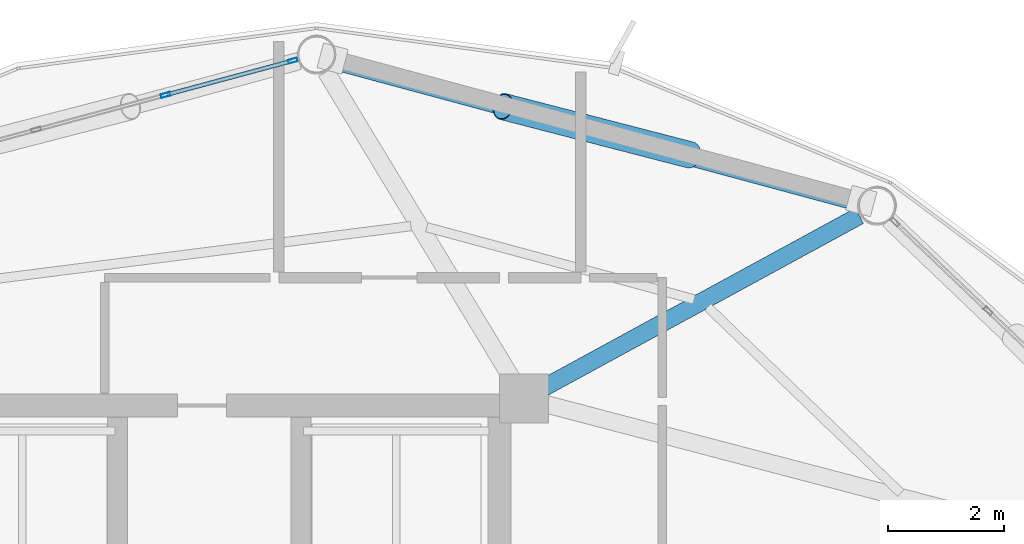
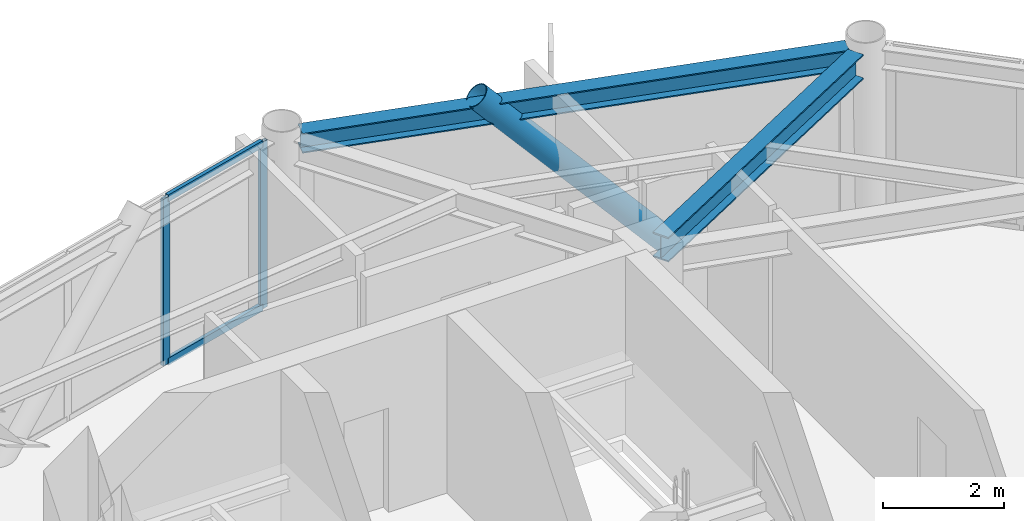
# One storey, part 21 of 28: 5 members, 2 beams, 1 element without a shape of its own.
"""IFC4 building model written with IfcOpenShell, lengths in metres."""

from ifc_helpers import new_model, si_unit, direction, frame, origin, origin_2d, place, context, subcontext, project, spatial, hollow_rectangle, hollow_circle, i_section, extrude, material, layer, layer_set, material_profile, profile_set, type_object, element, aggregate, save


model = new_model("IFC4")

# Units and contexts
model_context = context("Model", 3, precision=1e-05, world=origin(), true_north=direction((0.0, 1.0)))
body_context = subcontext(model_context, "Body", "Model", "MODEL_VIEW")
ifc_project = project(units=[si_unit("LENGTHUNIT", "METRE"), si_unit("AREAUNIT", "SQUARE_METRE"), si_unit("VOLUMEUNIT", "CUBIC_METRE"), si_unit("PLANEANGLEUNIT", "RADIAN"), si_unit("MASSUNIT", "GRAM", prefix="KILO")], contexts=[model_context])

# Site, building, storey
site_placement = place(None, origin())
site = spatial("IfcSite", under=ifc_project, at=site_placement, CompositionType="ELEMENT")
building_placement = place(site_placement, origin())
building = spatial("IfcBuilding", under=site, at=building_placement, Name="Varnakorn Sky Granary", CompositionType="ELEMENT")
storey_placement = place(building_placement, frame((0.0, 0.0, 196.800048828125)))
storey = spatial("IfcBuildingStorey", under=building, at=storey_placement, Name="L49", CompositionType="ELEMENT", Elevation=196.800048828125)

# Beams
ifc_material_1 = material(Name="Steel S355JR", Category="steel")
ifc_material_profile_1 = material_profile(ifc_material_1, i_section(OverallWidth=0.300048828125, OverallDepth=0.5, WebThickness=0.014404296875, FlangeThickness=0.028076171875, at=origin_2d()), Name="HE 500 B")
ifc_profile_set_1 = profile_set([ifc_material_profile_1], Name="Steel S355JR")
beam_type_1 = type_object("IfcBeamType", Name="BM-RAD-Z4", PredefinedType="BEAM", material=ifc_profile_set_1)
beam_1_placement = place(storey_placement, frame((8.775634765625, 12.813720703125, 3.10986328125), z_axis=(0.87816611834, 0.47835579708, 0.0), x_axis=(-0.47835579708, 0.87816611834, 0.0)))
element("IfcBeam", 1, at=beam_1_placement, inside=storey, type_object=beam_type_1, Name="Radial Floor Girder RG03 L49", PredefinedType="BEAM", context=body_context, shape_type="SweptSolid", body=[
    extrude(i_section(OverallWidth=0.300048828125, OverallDepth=0.5, WebThickness=0.014404296875, FlangeThickness=0.028076171875, at=origin_2d()), origin(), (0.0, 0.0, 1.0), 6.169921875),
])
ifc_material_profile_2 = material_profile(ifc_material_1, i_section(OverallWidth=0.300048828125, OverallDepth=0.39990234375, WebThickness=0.013427734375, FlangeThickness=0.02392578125, at=origin_2d()), Name="HE 400 B")
ifc_profile_set_2 = profile_set([ifc_material_profile_2], Name="Steel S355JR")
beam_type_2 = type_object("IfcBeamType", Name="BM-SPD-Z4", PredefinedType="SPANDREL", material=ifc_profile_set_2)
beam_2_placement = place(storey_placement, frame((14.16650390625, 15.997802734375, 3.159912109375), z_axis=(-0.965435992798, 0.260640257462, 0.0), x_axis=(-0.260640257462, -0.965435992798, 0.0)))
element("IfcBeam", 2, at=beam_2_placement, inside=storey, type_object=beam_type_2, Name="Perimeter Spandrel Ring Beam RB03 L49", PredefinedType="SPANDREL", context=body_context, shape_type="SweptSolid", body=[
    extrude(i_section(OverallWidth=0.300048828125, OverallDepth=0.39990234375, WebThickness=0.013427734375, FlangeThickness=0.02392578125, at=origin_2d()), origin(), (0.0, 0.0, 1.0), 9.335205078125),
])

# Curtain wall, members
ifc_material_2 = material(Name="Anodised Bronze Aluminium Alloy 6063-T6", Category="aluminium")
ifc_layer = layer(ifc_material_2, 0.169921875, Name="Anodised Bronze Aluminium Alloy 6063-T6")
ifc_layer_set = layer_set([ifc_layer], Name="Anodised Bronze Aluminium Alloy 6063-T6")
curtain_wall_type = type_object("IfcCurtainWallType", Name="CW-LAB-1", PredefinedType="USERDEFINED", material=ifc_layer_set)
curtain_wall_placement = place(storey_placement, origin())
curtain_wall = element("IfcCurtainWall", 3, at=curtain_wall_placement, inside=storey, type_object=curtain_wall_type, Name="Unitised Curtain Wall CW5 CW-L49-B04", ObjectType="CURTAIN WALL", PredefinedType="USERDEFINED")
ifc_material_profile_3 = material_profile(ifc_material_2, hollow_rectangle(XDim=0.06494140625, YDim=0.159912109375, WallThickness=0.00341796875, at=origin_2d()), Name="ALU MULL 65x160")
ifc_profile_set_3 = profile_set([ifc_material_profile_3], Name="Anodised Bronze Aluminium Alloy 6063-T6")
member_type_1 = type_object("IfcMemberType", Name="CW-LAB-1-MULL", PredefinedType="MULLION", material=ifc_profile_set_3)
member_1_placement = place(storey_placement, frame((2.248046875, 17.845703125, 0.0), z_axis=(0.0, 0.0, 1.0), x_axis=(-0.260195590554, 0.965555930362, 0.0)))
member_1 = element("IfcMember", 4, at=member_1_placement, type_object=member_type_1, Name="CW5 mullion 4", PredefinedType="MULLION", context=body_context, shape_type="SweptSolid", body=[
    extrude(hollow_rectangle(XDim=0.06494140625, YDim=0.159912109375, WallThickness=0.00341796875, at=origin_2d()), origin(), (0.0, 0.0, 1.0), 3.35986328125),
])
member_2_placement = place(storey_placement, frame((4.442138671875, 18.43701171875, 0.0), z_axis=(0.0, 0.0, 1.0), x_axis=(-0.260195590554, 0.965555930362, 0.0)))
member_2 = element("IfcMember", 5, at=member_2_placement, type_object=member_type_1, Name="CW5 mullion 5", PredefinedType="MULLION", context=body_context, shape_type="SweptSolid", body=[
    extrude(hollow_rectangle(XDim=0.06494140625, YDim=0.159912109375, WallThickness=0.00341796875, at=origin_2d()), origin(), (0.0, 0.0, 1.0), 3.35986328125),
])
ifc_material_profile_4 = material_profile(ifc_material_2, hollow_rectangle(XDim=0.070068359375, YDim=0.139892578125, WallThickness=0.00341796875, at=origin_2d()), Name="ALU TRAN 70x140")
ifc_profile_set_4 = profile_set([ifc_material_profile_4], Name="Anodised Bronze Aluminium Alloy 6063-T6")
member_type_2 = type_object("IfcMemberType", Name="CW-LAB-1-TRAN", PredefinedType="USERDEFINED", material=ifc_profile_set_4)
member_3_placement = place(storey_placement, frame((2.279541015625, 17.854248046875, 0.034912109375), z_axis=(0.965563406344, 0.260167846457, 0.0), x_axis=(-0.260167846457, 0.965563406344, 0.0)))
member_3 = element("IfcMember", 6, at=member_3_placement, type_object=member_type_2, Name="CW5 transom 4.1", ObjectType="TRANSOM", PredefinedType="USERDEFINED", context=body_context, shape_type="SweptSolid", body=[
    extrude(hollow_rectangle(XDim=0.070068359375, YDim=0.139892578125, WallThickness=0.00341796875, at=origin_2d()), origin(), (0.0, 0.0, 1.0), 2.20703125),
])
member_4_placement = place(storey_placement, frame((2.279541015625, 17.854248046875, 3.324951171875), z_axis=(0.965563406344, 0.260167846457, 0.0), x_axis=(-0.260167846457, 0.965563406344, 0.0)))
member_4 = element("IfcMember", 7, at=member_4_placement, type_object=member_type_2, Name="CW5 transom 4.2", ObjectType="TRANSOM", PredefinedType="USERDEFINED", context=body_context, shape_type="SweptSolid", body=[
    extrude(hollow_rectangle(XDim=0.070068359375, YDim=0.139892578125, WallThickness=0.00341796875, at=origin_2d()), origin(), (0.0, 0.0, 1.0), 2.20703125),
])
aggregate(curtain_wall, [member_1, member_2, member_3, member_4])

# Member
ifc_material_3 = material(Name="Steel S460M", Category="steel")
ifc_material_profile_5 = material_profile(ifc_material_3, hollow_circle(Radius=0.228515625, WallThickness=0.01611328125, at=origin_2d()), Name="CHS 457x16")
ifc_profile_set_5 = profile_set([ifc_material_profile_5], Name="Steel S460M")
member_type_3 = type_object("IfcMemberType", Name="MB-DIAG-T3", PredefinedType="BRACE", material=ifc_profile_set_5)
member_5_placement = place(storey_placement, frame((11.286376953125, 16.8125, -0.130126953125), z_axis=(-0.65605916982, 0.169569572242, 0.735413166774), x_axis=(-0.250243246883, -0.968182997883, 0.0)))
element("IfcMember", 8, at=member_5_placement, inside=storey, type_object=member_type_3, Name="Perimeter CHS Diagrid Brace DG03 L49", PredefinedType="BRACE", context=body_context, shape_type="SweptSolid", body=[
    extrude(hollow_circle(Radius=0.228515625, WallThickness=0.01611328125, at=origin_2d()), origin(), (0.0, 0.0, 1.0), 4.922607421875),
])

save(model, "model.ifc")
